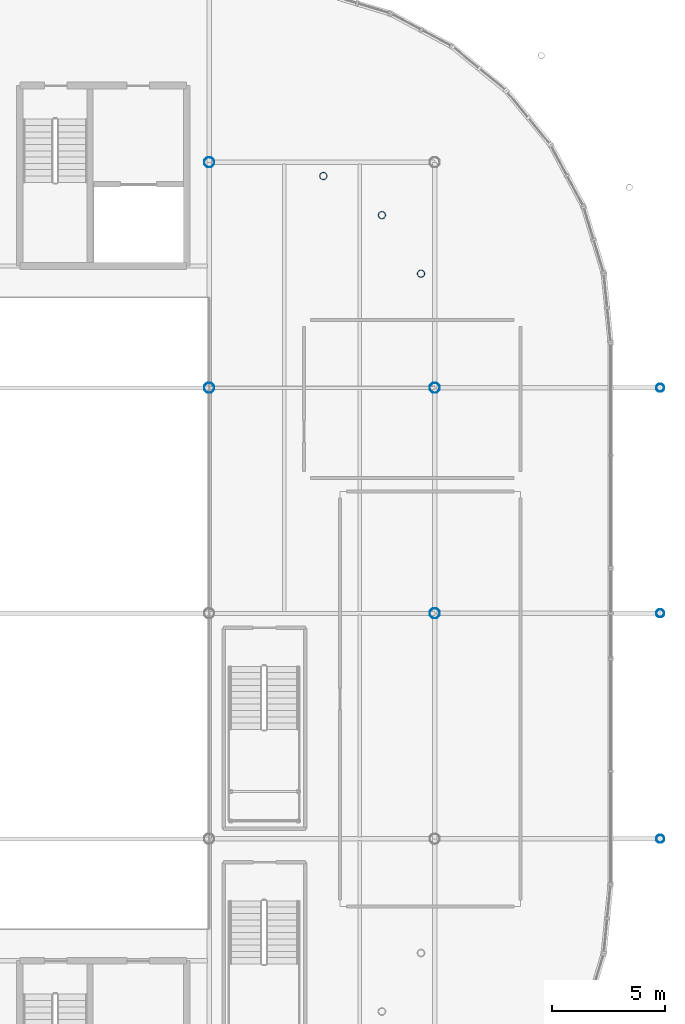
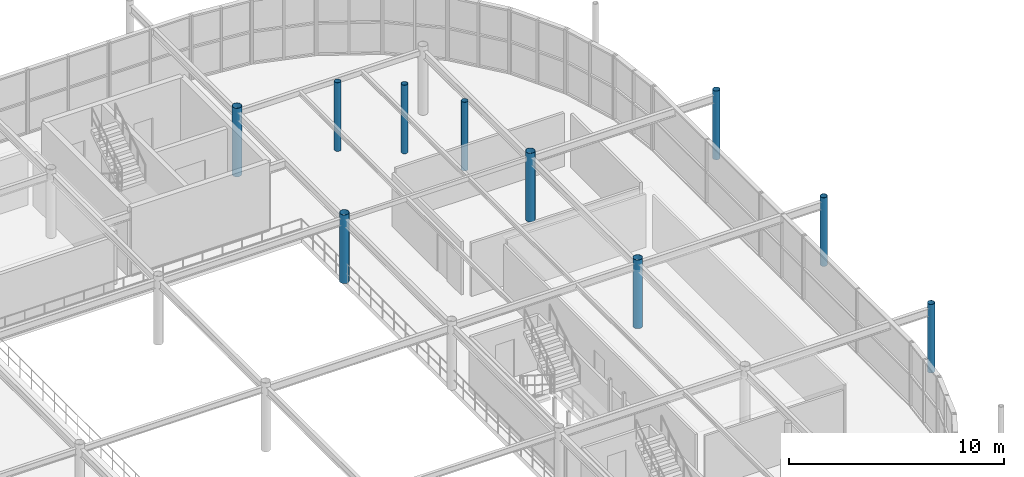
# One storey, part 30 of 98: 10 columns.
"""IFC4 building model written with IfcOpenShell, lengths in metres."""

from ifc_helpers import new_model, si_unit, derived_unit, direction, frame, origin, origin_2d_with_axis, place, context, subcontext, project, spatial, hollow_circle, extrude, material, material_profile, profile_set, type_object, element, save


model = new_model("IFC4")

# Units and contexts
model_context = context("Model", 3, precision=1e-05, world=origin(), true_north=direction((0.0, 1.0)))
body_context = subcontext(model_context, "Body", "Model", "MODEL_VIEW")
ifc_project = project(units=[si_unit("LENGTHUNIT", "METRE"), si_unit("AREAUNIT", "SQUARE_METRE"), si_unit("VOLUMEUNIT", "CUBIC_METRE"), si_unit("PLANEANGLEUNIT", "RADIAN"), si_unit("MASSUNIT", "GRAM", prefix="KILO"), derived_unit("THERMALTRANSMITTANCEUNIT", [(si_unit("POWERUNIT", "WATT"), 1), (si_unit("LENGTHUNIT", "METRE"), -2), (si_unit("THERMODYNAMICTEMPERATUREUNIT", "KELVIN"), -1)])], contexts=[model_context])

# Site, building, storey
site_placement = place(None, origin())
site = spatial("IfcSite", under=ifc_project, at=site_placement, CompositionType="ELEMENT")
building_placement = place(site_placement, origin())
building = spatial("IfcBuilding", under=site, at=building_placement, Name="Cinnabar Yard Market Hall", CompositionType="ELEMENT")
storey_placement = place(building_placement, frame((0.0, 0.0, 4.5)))
storey = spatial("IfcBuildingStorey", under=building, at=storey_placement, Name="L01", CompositionType="ELEMENT", Elevation=4.5)

# Columns
ifc_material = material(Name="Spotted-gum glulam-clad steel Grade 350 (350 MPa)", Category="steel")
ifc_material_profile_1 = material_profile(ifc_material, hollow_circle(Radius=0.228515625, WallThickness=0.0126953125, at=origin_2d_with_axis()), Name="457.0x12.7CHS")
ifc_profile_set_1 = profile_set([ifc_material_profile_1], Name="Spotted-gum glulam-clad steel Grade 350 (350 MPa)")
column_type_1 = type_object("IfcColumnType", Name="COL-C01", PredefinedType="COLUMN", material=ifc_profile_set_1)
for number, where, z_axis, x_axis, name in (
    (1, (146.0, 54.0, 0.0), (0.0, 0.0, 1.0), (1.0, 0.0, 0.0), "Tree Column V1I-08-04 L01"),
    (2, (146.0, 64.0, 0.0), (0.0, 0.0, 1.0), (1.0, 0.0, 0.0), "Tree Column V1I-08-05 L01"),
    (3, (156.0, 44.0, 0.0), (0.0, 0.0, 1.0), (1.0, 0.0, 0.0), "Tree Column V1I-09-03 L01"),
    (4, (156.0, 54.0, 0.0), (0.0, 0.0, 1.0), (1.0, 0.0, 0.0), "Tree Column V1I-09-04 L01"),
):
    element("IfcColumn", number, at=place(storey_placement, frame(where, z_axis=z_axis, x_axis=x_axis)), inside=storey, type_object=column_type_1, Name=name, PredefinedType="COLUMN", context=body_context, shape_type="SweptSolid", body=[
        extrude(hollow_circle(Radius=0.228515625, WallThickness=0.0126953125, at=origin_2d_with_axis()), origin(), (0.0, 0.0, 1.0), 3.89990234375),
    ])
ifc_material_profile_2 = material_profile(ifc_material, hollow_circle(Radius=0.177734375, WallThickness=0.0126953125, at=origin_2d_with_axis()), Name="355.6x12.7CHS")
ifc_profile_set_2 = profile_set([ifc_material_profile_2], Name="Spotted-gum glulam-clad steel Grade 350 (350 MPa)")
column_type_2 = type_object("IfcColumnType", Name="COL-C02E", PredefinedType="COLUMN", material=ifc_profile_set_2)
for number, where, z_axis, x_axis, name in (
    (5, (166.0, 34.0, 0.0), (0.0, 0.0, 1.0), (1.0, 0.0, 0.0), "Tree Column V1E-01 L01"),
    (6, (166.0, 44.0, 0.0), (0.0, 0.0, 1.0), (1.0, 0.0, 0.0), "Tree Column V1E-02 L01"),
    (7, (166.0, 54.0, 0.0), (0.0, 0.0, 1.0), (1.0, 0.0, 0.0), "Tree Column V1E-03 L01"),
):
    element("IfcColumn", number, at=place(storey_placement, frame(where, z_axis=z_axis, x_axis=x_axis)), inside=storey, type_object=column_type_2, Name=name, PredefinedType="COLUMN", context=body_context, shape_type="SweptSolid", body=[
        extrude(hollow_circle(Radius=0.177734375, WallThickness=0.0126953125, at=origin_2d_with_axis()), origin(), (0.0, 0.0, 1.0), 3.89990234375),
    ])
ifc_material_profile_3 = material_profile(ifc_material, hollow_circle(Radius=0.161865234375, WallThickness=0.009521484375, at=origin_2d_with_axis()), Name="323.9x9.5CHS")
ifc_profile_set_3 = profile_set([ifc_material_profile_3], Name="Spotted-gum glulam-clad steel Grade 350 (350 MPa)")
column_type_3 = type_object("IfcColumnType", Name="COL-C03", PredefinedType="COLUMN", material=ifc_profile_set_3)
for number, where, z_axis, x_axis, name in (
    (8, (155.39111328125, 59.0615234375, 0.0), (0.0, 0.0, 1.0), (1.0, 0.0, 0.0), "Tree Column V1IC-NE2 L01"),
    (9, (153.656982421875, 61.656982421875, 0.0), (0.0, 0.0, 1.0), (1.0, 0.0, 0.0), "Tree Column V1IC-NE4 L01"),
    (10, (151.0615234375, 63.39111328125, 0.0), (0.0, 0.0, 1.0), (1.0, 0.0, 0.0), "Tree Column V1IC-NE6 L01"),
):
    element("IfcColumn", number, at=place(storey_placement, frame(where, z_axis=z_axis, x_axis=x_axis)), inside=storey, type_object=column_type_3, Name=name, PredefinedType="COLUMN", context=body_context, shape_type="SweptSolid", body=[
        extrude(hollow_circle(Radius=0.161865234375, WallThickness=0.009521484375, at=origin_2d_with_axis()), origin(), (0.0, 0.0, 1.0), 3.89990234375),
    ])

save(model, "model.ifc")
